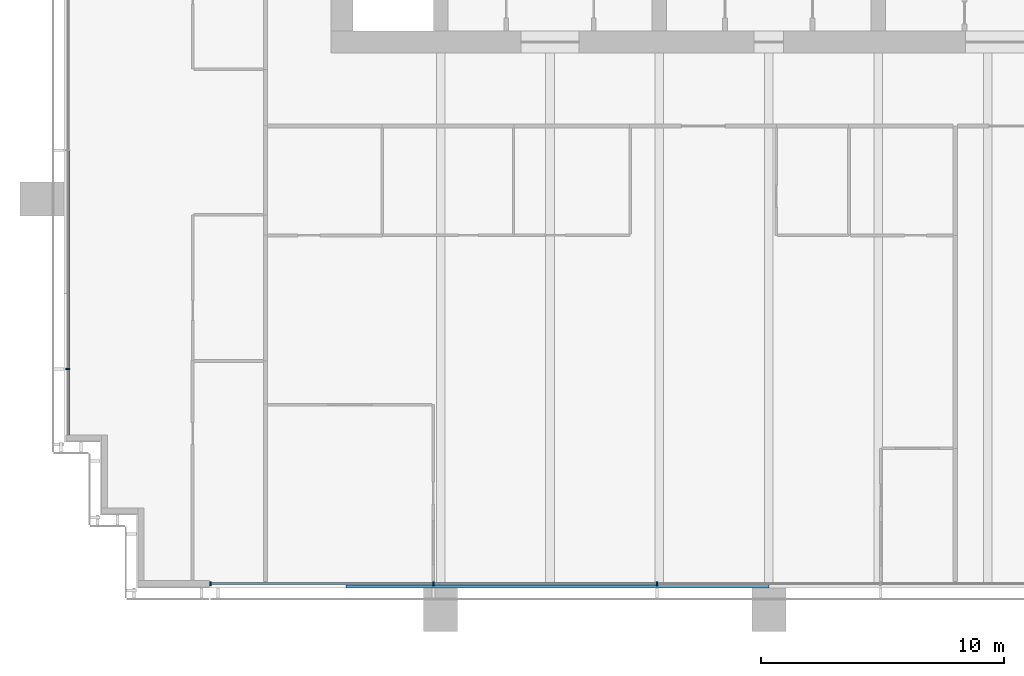
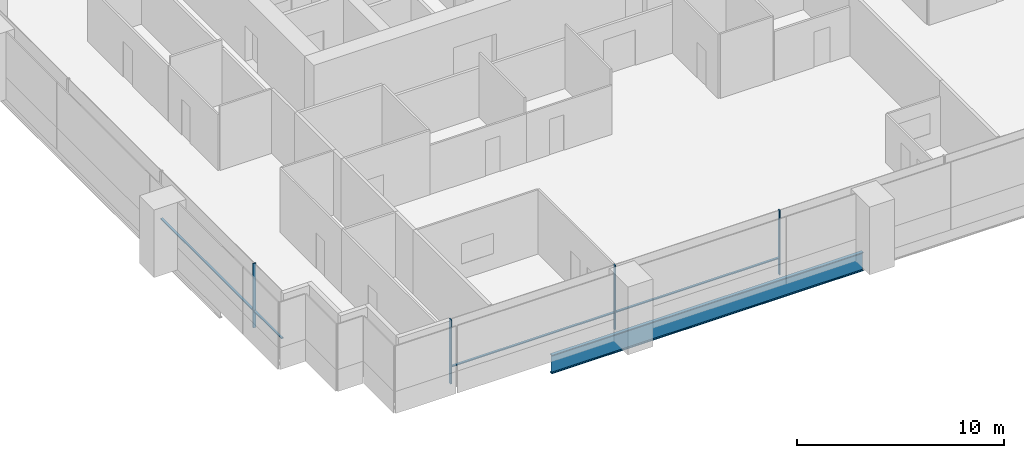
# One storey, part 2 of 18: 8 members, 1 beam, 2 elements without a shape of their own.
"""IFC4 building model written with IfcOpenShell, lengths in metres."""

import ifcopenshell
import ifcopenshell.guid

model = None  # the IFC model being written
_history = None  # IfcOwnerHistory: only IFC2X3 demands one
_inside = {}  # id of a spatial element -> (the spatial element, [elements in it])
_under = {}  # id of a project, library or spatial element -> (it, [spatial elements below it])
_declared = {}  # id of a project -> (the project, [libraries it declares])
_typed = {}  # id of a type object -> (the type object, [elements of that type])
_made_of = {}  # id of a material, layer set ... -> (it, [elements and type objects made of it])


def new_model(schema):
    """Start an empty IFC model of exactly this schema.

    Asked for "IFC4X3", IfcOpenShell would pick the latest addendum, in which some entities
    have other attributes; the version numbers below select the first issue.
    IFC2X3 requires an IfcOwnerHistory on every rooted entity: one is made here for all.
    """
    global model, _history
    if schema == "IFC4X3":
        model = ifcopenshell.file(schema_version=(4, 3, 0, 0))
    else:
        model = ifcopenshell.file(schema=schema)
    _inside.clear()
    _under.clear()
    _declared.clear()
    _typed.clear()
    _made_of.clear()
    _history = None
    if model.schema == "IFC2X3":
        org = make("IfcOrganization", Name="unknown")
        user = make(
            "IfcPersonAndOrganization",
            ThePerson=make("IfcPerson", FamilyName="unknown"),
            TheOrganization=org,
        )
        app = make(
            "IfcApplication",
            ApplicationDeveloper=org,
            Version="unknown",
            ApplicationFullName="unknown",
            ApplicationIdentifier="unknown",
        )
        _history = make(
            "IfcOwnerHistory",
            OwningUser=user,
            OwningApplication=app,
            ChangeAction="ADDED",
            CreationDate=0,
        )
    return model


def make(cls, **values):
    """One entity of the class cls with the attributes given. An attribute that is None is left unset."""
    return model.create_entity(
        cls, **{name: value for name, value in values.items() if value is not None}
    )


def rooted(cls, **values):
    """An entity with a GlobalId (a new one), such as an element, a storey or a relation."""
    return make(cls, GlobalId=ifcopenshell.guid.new(), OwnerHistory=_history, **values)


def si_unit(unit_type, name, prefix=None):
    """IfcSIUnit, for example si_unit("LENGTHUNIT", "METRE", prefix="MILLI")."""
    return make("IfcSIUnit", UnitType=unit_type, Prefix=prefix, Name=name)


def assignment(units):
    """IfcUnitAssignment: the units of a project."""
    return None if units is None else make("IfcUnitAssignment", Units=units)


def point(xyz):
    """IfcCartesianPoint."""
    return None if xyz is None else make("IfcCartesianPoint", Coordinates=xyz)


def direction(xyz):
    """IfcDirection."""
    return None if xyz is None else make("IfcDirection", DirectionRatios=xyz)


def frame(location, z_axis=None, x_axis=None):
    """IfcAxis2Placement3D, a coordinate frame: its origin and axes. An axis left out is left unset."""
    return make(
        "IfcAxis2Placement3D",
        Location=point(location),
        Axis=direction(z_axis),
        RefDirection=direction(x_axis),
    )


def frame_2d(location, x_axis=None):
    """IfcAxis2Placement2D, a coordinate frame in the plane: its origin and x axis."""
    return make(
        "IfcAxis2Placement2D", Location=point(location), RefDirection=direction(x_axis)
    )


def origin():
    """The frame at (0, 0, 0) with its axes left unset."""
    return frame((0.0, 0.0, 0.0))


def origin_2d():
    """The frame at (0, 0) in the plane with its x axis left unset."""
    return frame_2d((0.0, 0.0))


def place(relative_to, where):
    """IfcLocalPlacement: puts the frame where relative to a parent placement (None: the world)."""
    return make(
        "IfcLocalPlacement", PlacementRelTo=relative_to, RelativePlacement=where
    )


def context(
    kind, dimensions, precision=None, world=None, true_north=None, identifier=None
):
    """IfcGeometricRepresentationContext, for example the 3D "Model" context."""
    return make(
        "IfcGeometricRepresentationContext",
        ContextIdentifier=identifier,
        ContextType=kind,
        CoordinateSpaceDimension=dimensions,
        Precision=precision,
        WorldCoordinateSystem=world,
        TrueNorth=true_north,
    )


def subcontext(parent, identifier, kind, view, scale=None):
    """IfcGeometricRepresentationSubContext, for example "Body" below "Model"."""
    return make(
        "IfcGeometricRepresentationSubContext",
        ContextIdentifier=identifier,
        ContextType=kind,
        ParentContext=parent,
        TargetScale=scale,
        TargetView=view,
    )


def project(units=None, contexts=None):
    """IfcProject with its units and contexts."""
    return rooted(
        "IfcProject",
        Name="project",
        RepresentationContexts=contexts,
        UnitsInContext=assignment(units),
    )


def spatial(cls, under=None, at=None, **own):
    """A site, building, storey or space (cls), placed at a placement, below another one or the project."""
    s = rooted(cls, ObjectPlacement=at, **own)
    if under is not None:
        _under.setdefault(under.id(), (under, []))[1].append(s)
    return s


def profile(cls, at=None, kind="AREA", **sizes):
    """A parametric profile (cls). Its sizes go by their IFC names, for example OverallWidth=200.0."""
    return make(cls, ProfileType=kind, Position=at, **sizes)


def rectangle(**sizes):
    """IfcRectangleProfileDef."""
    return profile("IfcRectangleProfileDef", **sizes)


def i_section(**sizes):
    """IfcIShapeProfileDef."""
    return profile("IfcIShapeProfileDef", **sizes)


def extrude(swept, where, along, depth):
    """IfcExtrudedAreaSolid: the profile swept, set in the frame where, extruded along a direction by depth."""
    return make(
        "IfcExtrudedAreaSolid",
        SweptArea=swept,
        Position=where,
        ExtrudedDirection=direction(along),
        Depth=depth,
    )


def shape(context_of_items, identifier, shape_type, items):
    """IfcShapeRepresentation: the items that make up one representation, for example the "Body"."""
    return make(
        "IfcShapeRepresentation",
        ContextOfItems=context_of_items,
        RepresentationIdentifier=identifier,
        RepresentationType=shape_type,
        Items=items,
    )


def material(Name=None, Category=None):
    """IfcMaterial."""
    return make("IfcMaterial", Name=Name, Category=Category)


def material_profile(
    of_material, cross_section, Name=None, Category=None, Priority=None
):
    """IfcMaterialProfile: a cross section and its material."""
    return make(
        "IfcMaterialProfile",
        Name=Name,
        Material=of_material,
        Profile=cross_section,
        Priority=Priority,
        Category=Category,
    )


def profile_set(profiles, Name=None, composite=None):
    """IfcMaterialProfileSet."""
    return make(
        "IfcMaterialProfileSet",
        Name=Name,
        MaterialProfiles=profiles,
        CompositeProfile=composite,
    )


def made_of(thing, what):
    """Note that an element or type object is made of a material, layer set ...; save() writes the relation."""
    if what is not None:
        _made_of.setdefault(what.id(), (what, []))[1].append(thing)
    return thing


def type_object(cls, material=None, **own):
    """A type object (cls), such as IfcWallType, which elements share."""
    return made_of(rooted(cls, **own), material)


def element(
    cls,
    number,
    at=None,
    inside=None,
    cuts=None,
    type_object=None,
    material=None,
    context=None,
    identifier="Body",
    shape_type=None,
    held_by="IfcProductDefinitionShape",
    body=None,
    shapes=None,
    **own,
):
    """One element of the class cls, such as IfcWall. Its Tag is "e" and its number.

    at: its placement. inside: the storey or other place that contains it. cuts: it is an
    opening in that element (IfcRelVoidsElement). A single representation is given by context,
    identifier, shape_type and body (its items); several are given by shapes. held_by: the class
    of the entity that holds the representations. save() writes the other relations.
    """
    e = rooted(cls, Tag="e%d" % number, ObjectPlacement=at, **own)
    if body is not None:
        shapes = [shape(context, identifier, shape_type, body)]
    if shapes is not None:
        e.Representation = make(held_by, Representations=shapes)
    if inside is not None:
        _inside.setdefault(inside.id(), (inside, []))[1].append(e)
    if cuts is not None:
        rooted(
            "IfcRelVoidsElement", RelatingBuildingElement=cuts, RelatedOpeningElement=e
        )
    if type_object is not None:
        _typed.setdefault(type_object.id(), (type_object, []))[1].append(e)
    return made_of(e, material)


def aggregate(whole, parts):
    """IfcRelAggregates: a whole, such as a stair, and the parts it consists of."""
    return rooted("IfcRelAggregates", RelatingObject=whole, RelatedObjects=parts)


def save(model, path):
    """Write the relations noted so far, then the file.

    IfcRelAggregates (storeys below a building ...), IfcRelContainedInSpatialStructure (elements
    in a storey), IfcRelDefinesByType, IfcRelAssociatesMaterial and IfcRelDeclares: one each for
    every whole, place, type object, material and project.
    """
    for whole, parts in _under.values():
        aggregate(whole, parts)
    for where, things in _inside.values():
        rooted(
            "IfcRelContainedInSpatialStructure",
            RelatedElements=things,
            RelatingStructure=where,
        )
    for kind, things in _typed.values():
        rooted("IfcRelDefinesByType", RelatedObjects=things, RelatingType=kind)
    for what, things in _made_of.values():
        rooted("IfcRelAssociatesMaterial", RelatedObjects=things, RelatingMaterial=what)
    for by, libraries in _declared.values():
        rooted("IfcRelDeclares", RelatingContext=by, RelatedDefinitions=libraries)
    model.write(path)


model = new_model("IFC4")

# Units and contexts
model_context = context("Model", 3, precision=1e-05, world=origin(), true_north=direction((0.0, 1.0)))
body_context = subcontext(model_context, "Body", "Model", "MODEL_VIEW")
ifc_project = project(units=[si_unit("LENGTHUNIT", "METRE"), si_unit("AREAUNIT", "SQUARE_METRE"), si_unit("VOLUMEUNIT", "CUBIC_METRE"), si_unit("PLANEANGLEUNIT", "RADIAN"), si_unit("MASSUNIT", "GRAM", prefix="KILO")], contexts=[model_context])

# Site, building, storey
site_placement = place(None, origin())
site = spatial("IfcSite", under=ifc_project, at=site_placement, CompositionType="ELEMENT")
building_placement = place(site_placement, origin())
building = spatial("IfcBuilding", under=site, at=building_placement, Name="Rattan Terrace Tower", CompositionType="ELEMENT")
storey_placement = place(building_placement, frame((0.0, 0.0, 134.10009765625)))
storey = spatial("IfcBuildingStorey", under=building, at=storey_placement, Name="L30", CompositionType="ELEMENT", Elevation=134.10009765625)

# Curtain wall, member
ifc_material_1 = material(Name="Aluminium and glass", Category="aluminium")
curtain_wall_type = type_object("IfcCurtainWallType", Name="Facade Unitised Curtain Wall", PredefinedType="NOTDEFINED", material=ifc_material_1)
curtain_wall_1_placement = place(storey_placement, origin())
curtain_wall_1 = element("IfcCurtainWall", 1, at=curtain_wall_1_placement, inside=storey, type_object=curtain_wall_type, Name="Curtain wall L30-3", PredefinedType="NOTDEFINED")
ifc_material_2 = material(Name="Aluminium", Category="aluminium")
ifc_material_profile_1 = material_profile(ifc_material_2, rectangle(XDim=0.06005859375, YDim=0.159912109375, at=origin_2d()), Name="Aluminium 60x160")
ifc_profile_set_1 = profile_set([ifc_material_profile_1], Name="Aluminium")
member_type_1 = type_object("IfcMemberType", Name="Facade CW Mullion 60x160", PredefinedType="MULLION", material=ifc_profile_set_1)
member_1_placement = place(storey_placement, frame((-28.830078125, -20.5, 0.0), z_axis=(0.0, 0.0, 1.0), x_axis=(0.0, -1.0, 0.0)))
member_1 = element("IfcMember", 2, at=member_1_placement, type_object=member_type_1, Name="Mullion cwl-L30-003.4", PredefinedType="MULLION", context=body_context, shape_type="SweptSolid", body=[
    extrude(rectangle(XDim=0.06005859375, YDim=0.159912109375, at=origin_2d()), origin(), (0.0, 0.0, 1.0), 3.7998046875),
])

# Curtain wall, members
curtain_wall_2_placement = place(storey_placement, origin())
curtain_wall_2 = element("IfcCurtainWall", 3, at=curtain_wall_2_placement, inside=storey, type_object=curtain_wall_type, Name="Curtain wall L30-4", PredefinedType="NOTDEFINED")
member_2_placement = place(storey_placement, frame((-22.969970703125, -29.330078125, 0.0), z_axis=(0.0, 0.0, 1.0), x_axis=(1.0, 0.0, 0.0)))
member_2 = element("IfcMember", 4, at=member_2_placement, type_object=member_type_1, Name="Mullion cwl-L30-004.1", PredefinedType="MULLION", context=body_context, shape_type="SweptSolid", body=[
    extrude(rectangle(XDim=0.06005859375, YDim=0.159912109375, at=origin_2d()), origin(), (0.0, 0.0, 1.0), 3.7998046875),
])
member_3_placement = place(storey_placement, frame((-13.799072265625, -29.330078125, 0.0), z_axis=(0.0, 0.0, 1.0), x_axis=(1.0, 0.0, 0.0)))
member_3 = element("IfcMember", 5, at=member_3_placement, type_object=member_type_1, Name="Mullion cwl-L30-004.2", PredefinedType="MULLION", context=body_context, shape_type="SweptSolid", body=[
    extrude(rectangle(XDim=0.06005859375, YDim=0.159912109375, at=origin_2d()), origin(), (0.0, 0.0, 1.0), 3.7998046875),
])
member_4_placement = place(storey_placement, frame((-4.597900390625, -29.330078125, 0.0), z_axis=(0.0, 0.0, 1.0), x_axis=(1.0, 0.0, 0.0)))
member_4 = element("IfcMember", 6, at=member_4_placement, type_object=member_type_1, Name="Mullion cwl-L30-004.3", PredefinedType="MULLION", context=body_context, shape_type="SweptSolid", body=[
    extrude(rectangle(XDim=0.06005859375, YDim=0.159912109375, at=origin_2d()), origin(), (0.0, 0.0, 1.0), 3.7998046875),
])

# Member
ifc_material_3 = material(Name="Aluminium", Category="aluminium")
ifc_material_profile_2 = material_profile(ifc_material_3, rectangle(XDim=0.1201171875, YDim=0.06005859375, at=origin_2d()), Name="Aluminium 120x60")
ifc_profile_set_2 = profile_set([ifc_material_profile_2], Name="Aluminium")
member_type_2 = type_object("IfcMemberType", Name="Facade CW Transom 120x60", PredefinedType="USERDEFINED", material=ifc_profile_set_2)
member_5_placement = place(storey_placement, frame((-28.830078125, -11.530029296875, 1.0), z_axis=(0.0, -1.0, 0.0), x_axis=(1.0, 0.0, 0.0)))
member_5 = element("IfcMember", 7, at=member_5_placement, type_object=member_type_2, Name="Transom cwl-L30-003.3", ObjectType="TRANSOM", PredefinedType="USERDEFINED", context=body_context, shape_type="SweptSolid", body=[
    extrude(rectangle(XDim=0.1201171875, YDim=0.06005859375, at=origin_2d()), origin(), (0.0, 0.0, 1.0), 8.93994140625),
])

member_6_placement = place(storey_placement, frame((-28.830078125, -20.530029296875, 1.0), z_axis=(0.0, -1.0, 0.0), x_axis=(1.0, 0.0, 0.0)))
member_6 = element("IfcMember", 8, at=member_6_placement, type_object=member_type_2, Name="Transom cwl-L30-003.4", ObjectType="TRANSOM", PredefinedType="USERDEFINED", context=body_context, shape_type="SweptSolid", body=[
    extrude(rectangle(XDim=0.1201171875, YDim=0.06005859375, at=origin_2d()), origin(), (0.0, 0.0, 1.0), 2.675048828125),
])

aggregate(curtain_wall_1, [member_1, member_5, member_6])

member_7_placement = place(storey_placement, frame((-22.93994140625, -29.330078125, 1.0), z_axis=(1.0, 0.0, 0.0), x_axis=(0.0, 1.0, 0.0)))
member_7 = element("IfcMember", 9, at=member_7_placement, type_object=member_type_2, Name="Transom cwl-L30-004.1", ObjectType="TRANSOM", PredefinedType="USERDEFINED", context=body_context, shape_type="SweptSolid", body=[
    extrude(rectangle(XDim=0.1201171875, YDim=0.06005859375, at=origin_2d()), origin(), (0.0, 0.0, 1.0), 9.11083984375),
])

member_8_placement = place(storey_placement, frame((-13.76904296875, -29.330078125, 1.0), z_axis=(1.0, 0.0, 0.0), x_axis=(0.0, 1.0, 0.0)))
member_8 = element("IfcMember", 10, at=member_8_placement, type_object=member_type_2, Name="Transom cwl-L30-004.2", ObjectType="TRANSOM", PredefinedType="USERDEFINED", context=body_context, shape_type="SweptSolid", body=[
    extrude(rectangle(XDim=0.1201171875, YDim=0.06005859375, at=origin_2d()), origin(), (0.0, 0.0, 1.0), 9.14111328125),
])

aggregate(curtain_wall_2, [member_2, member_3, member_4, member_7, member_8])

# Beam
ifc_material_4 = material(Name="Steel S460", Category="steel")
ifc_material_profile_3 = material_profile(ifc_material_4, i_section(OverallWidth=0.179931640625, OverallDepth=1.10009765625, WebThickness=0.01611328125, FlangeThickness=0.050048828125, at=origin_2d()), Name="PG 1100x180-16-50")
ifc_profile_set_3 = profile_set([ifc_material_profile_3], Name="Steel S460")
beam_type = type_object("IfcBeamType", Name="Frame edge girder PG 1100x180-16-50", PredefinedType="SPANDREL", material=ifc_profile_set_3)
beam_placement = place(storey_placement, frame((-17.39990234375, -29.409912109375, -0.75), z_axis=(1.0, 0.0, 0.0), x_axis=(0.0, 1.0, 0.0)))
element("IfcBeam", 11, at=beam_placement, inside=storey, type_object=beam_type, Name="gdr-L30-001", PredefinedType="SPANDREL", context=body_context, shape_type="SweptSolid", body=[
    extrude(i_section(OverallWidth=0.179931640625, OverallDepth=1.10009765625, WebThickness=0.01611328125, FlangeThickness=0.050048828125, at=origin_2d()), origin(), (0.0, 0.0, 1.0), 17.39990234375),
])

save(model, "model.ifc")
